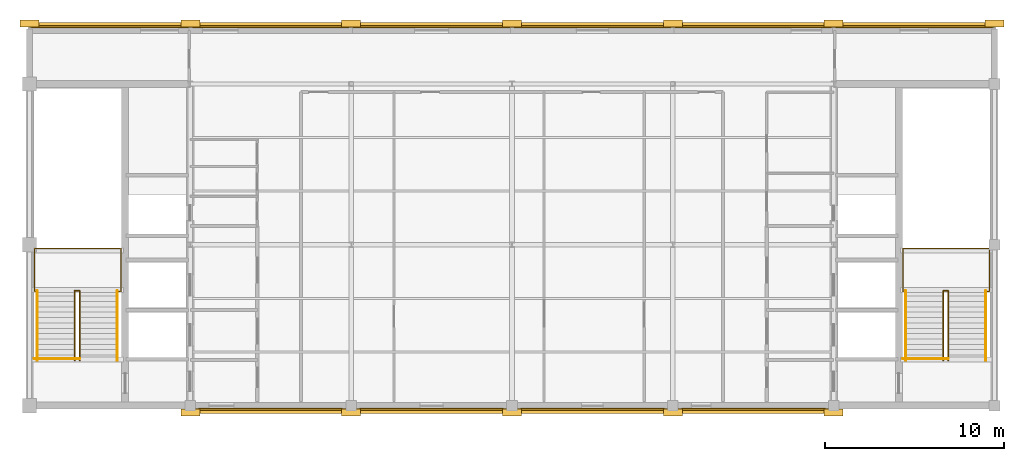
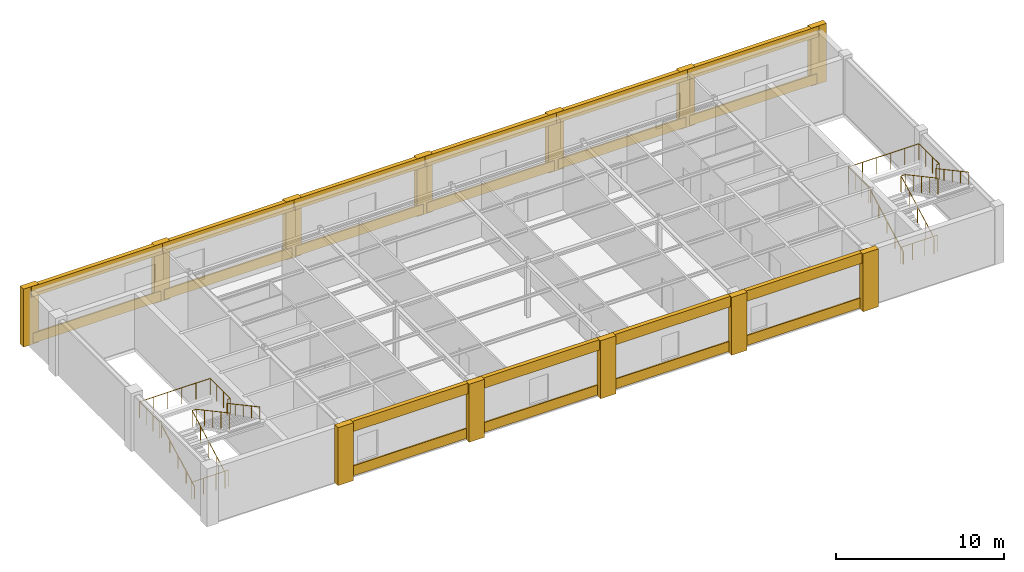
# One storey, part 7 of 7: 32 coverings, 10 railings.
"""IFC4 building model written with IfcOpenShell, lengths in metres."""

from ifc_helpers import new_model, si_unit, direction, frame, origin, origin_2d, place, context, subcontext, project, spatial, rectangle, circle, extrude, material, layer, layer_set, type_object, element, save


model = new_model("IFC4")

# Units and contexts
model_context = context("Model", 3, precision=1e-05, world=origin(), true_north=direction((0.0, 1.0)))
body_context = subcontext(model_context, "Body", "Model", "MODEL_VIEW")
ifc_project = project(units=[si_unit("LENGTHUNIT", "METRE"), si_unit("AREAUNIT", "SQUARE_METRE"), si_unit("VOLUMEUNIT", "CUBIC_METRE"), si_unit("PLANEANGLEUNIT", "RADIAN"), si_unit("MASSUNIT", "GRAM", prefix="KILO")], contexts=[model_context])

# Site, building, storey
site_placement = place(None, origin())
site = spatial("IfcSite", under=ifc_project, at=site_placement, CompositionType="ELEMENT")
building_placement = place(site_placement, origin())
building = spatial("IfcBuilding", under=site, at=building_placement, Name="Lykobir Media Centre", CompositionType="ELEMENT")
storey_placement = place(building_placement, frame((0.0, 0.0, 31.800048828125)))
storey = spatial("IfcBuildingStorey", under=building, at=storey_placement, Name="L07", CompositionType="ELEMENT", Elevation=31.800048828125)

# Coverings
ifc_material_1 = material(Name="Glazed Turquoise Terracotta", Category="masonry")
ifc_layer_1 = layer(ifc_material_1, 0.0400390625, Name="Glazed Turquoise Terracotta")
ifc_layer_set_1 = layer_set([ifc_layer_1], Name="Glazed Turquoise Terracotta")
covering_type_1 = type_object("IfcCoveringType", Name="CLD-TERR", PredefinedType="CLADDING", material=ifc_layer_set_1)
for number, where, z_axis, x_axis, name in (
    (1, (31.5, 21.196044921875, 0.080078125), (0.0, 0.0, 1.0), (-1.0, 0.0, 0.0), "Facade spandrel apron 890"),
    (2, (40.5, 21.196044921875, 0.080078125), (0.0, 0.0, 1.0), (-1.0, 0.0, 0.0), "Facade spandrel apron 893"),
    (3, (49.5, 21.196044921875, 0.080078125), (0.0, 0.0, 1.0), (-1.0, 0.0, 0.0), "Facade spandrel apron 896"),
    (4, (58.5, 21.196044921875, 0.080078125), (0.0, 0.0, 1.0), (-1.0, 0.0, 0.0), "Facade spandrel apron 899"),
    (5, (67.5, 21.196044921875, 0.080078125), (0.0, 0.0, 1.0), (-1.0, 0.0, 0.0), "Facade spandrel apron 902"),
    (6, (76.5, 21.196044921875, 0.080078125), (0.0, 0.0, 1.0), (-1.0, 0.0, 0.0), "Facade spandrel apron 905"),
):
    element("IfcCovering", number, at=place(storey_placement, frame(where, z_axis=z_axis, x_axis=x_axis)), inside=storey, type_object=covering_type_1, Name=name, PredefinedType="CLADDING", context=body_context, shape_type="SweptSolid", body=[
        extrude(rectangle(XDim=8.75, YDim=0.10009765625, at=origin_2d()), origin(), (0.0, 0.0, 1.0), 0.719970703125),
    ])
for number, where, z_axis, x_axis, name in (
    (7, (40.5, -0.196044921875, 0.080078125), (0.0, 0.0, 1.0), (1.0, 0.0, 0.0), "Facade spandrel apron 909"),
    (8, (49.5, -0.196044921875, 0.080078125), (0.0, 0.0, 1.0), (1.0, 0.0, 0.0), "Facade spandrel apron 912"),
    (9, (58.5, -0.196044921875, 0.080078125), (0.0, 0.0, 1.0), (1.0, 0.0, 0.0), "Facade spandrel apron 915"),
    (10, (67.5, -0.196044921875, 0.080078125), (0.0, 0.0, 1.0), (1.0, 0.0, 0.0), "Facade spandrel apron 918"),
):
    element("IfcCovering", number, at=place(storey_placement, frame(where, z_axis=z_axis, x_axis=x_axis)), inside=storey, type_object=covering_type_1, Name=name, PredefinedType="CLADDING", context=body_context, shape_type="SweptSolid", body=[
        extrude(rectangle(XDim=8.030029296875, YDim=0.10009765625, at=origin_2d()), origin(), (0.0, 0.0, 1.0), 0.719970703125),
    ])
ifc_material_2 = material(Name="Honed Travertine Stone", Category="masonry")
ifc_layer_2 = layer(ifc_material_2, 0.050048828125, Name="Honed Travertine Stone")
ifc_layer_set_2 = layer_set([ifc_layer_2], Name="Honed Travertine Stone")
covering_type_2 = type_object("IfcCoveringType", Name="CLD-TRAV", PredefinedType="CLADDING", material=ifc_layer_set_2)
for number, where, z_axis, x_axis, name in (
    (11, (36.0, 21.3798828125, 0.0), (0.0, 0.0, 1.0), (-1.0, 0.0, 0.0), "Travertine column pier 887"),
    (12, (27.0, 21.3798828125, 0.0), (0.0, 0.0, 1.0), (-1.0, 0.0, 0.0), "Travertine column pier 888"),
):
    element("IfcCovering", number, at=place(storey_placement, frame(where, z_axis=z_axis, x_axis=x_axis)), inside=storey, type_object=covering_type_2, Name=name, PredefinedType="CLADDING", context=body_context, shape_type="SweptSolid", body=[
        extrude(rectangle(XDim=1.06005859375, YDim=0.39990234375, at=origin_2d()), origin(), (0.0, 0.0, 1.0), 4.199951171875),
    ])
covering_1_placement = place(storey_placement, frame((31.5, 21.300048828125, 3.43994140625), z_axis=(0.0, 0.0, 1.0), x_axis=(-1.0, 0.0, 0.0)))
element("IfcCovering", 13, at=covering_1_placement, inside=storey, type_object=covering_type_2, Name="Travertine spandrel stringcourse 889", PredefinedType="CLADDING", context=body_context, shape_type="SweptSolid", body=[
    extrude(rectangle(XDim=9.0, YDim=0.280029296875, at=origin_2d()), origin(), (0.0, 0.0, 1.0), 0.760009765625),
])
covering_2_placement = place(storey_placement, frame((45.0, 21.3798828125, 0.0), z_axis=(0.0, 0.0, 1.0), x_axis=(-1.0, 0.0, 0.0)))
element("IfcCovering", 14, at=covering_2_placement, inside=storey, type_object=covering_type_2, Name="Travertine column pier 891", PredefinedType="CLADDING", context=body_context, shape_type="SweptSolid", body=[
    extrude(rectangle(XDim=1.06005859375, YDim=0.39990234375, at=origin_2d()), origin(), (0.0, 0.0, 1.0), 4.199951171875),
])
covering_3_placement = place(storey_placement, frame((40.5, 21.300048828125, 3.43994140625), z_axis=(0.0, 0.0, 1.0), x_axis=(-1.0, 0.0, 0.0)))
element("IfcCovering", 15, at=covering_3_placement, inside=storey, type_object=covering_type_2, Name="Travertine spandrel stringcourse 892", PredefinedType="CLADDING", context=body_context, shape_type="SweptSolid", body=[
    extrude(rectangle(XDim=9.0, YDim=0.280029296875, at=origin_2d()), origin(), (0.0, 0.0, 1.0), 0.760009765625),
])
covering_4_placement = place(storey_placement, frame((54.0, 21.3798828125, 0.0), z_axis=(0.0, 0.0, 1.0), x_axis=(-1.0, 0.0, 0.0)))
element("IfcCovering", 16, at=covering_4_placement, inside=storey, type_object=covering_type_2, Name="Travertine column pier 894", PredefinedType="CLADDING", context=body_context, shape_type="SweptSolid", body=[
    extrude(rectangle(XDim=1.06005859375, YDim=0.39990234375, at=origin_2d()), origin(), (0.0, 0.0, 1.0), 4.199951171875),
])
covering_5_placement = place(storey_placement, frame((49.5, 21.300048828125, 3.43994140625), z_axis=(0.0, 0.0, 1.0), x_axis=(-1.0, 0.0, 0.0)))
element("IfcCovering", 17, at=covering_5_placement, inside=storey, type_object=covering_type_2, Name="Travertine spandrel stringcourse 895", PredefinedType="CLADDING", context=body_context, shape_type="SweptSolid", body=[
    extrude(rectangle(XDim=9.0, YDim=0.280029296875, at=origin_2d()), origin(), (0.0, 0.0, 1.0), 0.760009765625),
])
covering_6_placement = place(storey_placement, frame((63.0, 21.3798828125, 0.0), z_axis=(0.0, 0.0, 1.0), x_axis=(-1.0, 0.0, 0.0)))
element("IfcCovering", 18, at=covering_6_placement, inside=storey, type_object=covering_type_2, Name="Travertine column pier 897", PredefinedType="CLADDING", context=body_context, shape_type="SweptSolid", body=[
    extrude(rectangle(XDim=1.06005859375, YDim=0.39990234375, at=origin_2d()), origin(), (0.0, 0.0, 1.0), 4.199951171875),
])
covering_7_placement = place(storey_placement, frame((58.5, 21.300048828125, 3.43994140625), z_axis=(0.0, 0.0, 1.0), x_axis=(-1.0, 0.0, 0.0)))
element("IfcCovering", 19, at=covering_7_placement, inside=storey, type_object=covering_type_2, Name="Travertine spandrel stringcourse 898", PredefinedType="CLADDING", context=body_context, shape_type="SweptSolid", body=[
    extrude(rectangle(XDim=9.0, YDim=0.280029296875, at=origin_2d()), origin(), (0.0, 0.0, 1.0), 0.760009765625),
])
covering_8_placement = place(storey_placement, frame((72.0, 21.3798828125, 0.0), z_axis=(0.0, 0.0, 1.0), x_axis=(-1.0, 0.0, 0.0)))
element("IfcCovering", 20, at=covering_8_placement, inside=storey, type_object=covering_type_2, Name="Travertine column pier 900", PredefinedType="CLADDING", context=body_context, shape_type="SweptSolid", body=[
    extrude(rectangle(XDim=1.06005859375, YDim=0.39990234375, at=origin_2d()), origin(), (0.0, 0.0, 1.0), 4.199951171875),
])
covering_9_placement = place(storey_placement, frame((67.5, 21.300048828125, 3.43994140625), z_axis=(0.0, 0.0, 1.0), x_axis=(-1.0, 0.0, 0.0)))
element("IfcCovering", 21, at=covering_9_placement, inside=storey, type_object=covering_type_2, Name="Travertine spandrel stringcourse 901", PredefinedType="CLADDING", context=body_context, shape_type="SweptSolid", body=[
    extrude(rectangle(XDim=9.0, YDim=0.280029296875, at=origin_2d()), origin(), (0.0, 0.0, 1.0), 0.760009765625),
])
covering_10_placement = place(storey_placement, frame((81.0, 21.3798828125, 0.0), z_axis=(0.0, 0.0, 1.0), x_axis=(-1.0, 0.0, 0.0)))
element("IfcCovering", 22, at=covering_10_placement, inside=storey, type_object=covering_type_2, Name="Travertine column pier 903", PredefinedType="CLADDING", context=body_context, shape_type="SweptSolid", body=[
    extrude(rectangle(XDim=1.06005859375, YDim=0.39990234375, at=origin_2d()), origin(), (0.0, 0.0, 1.0), 4.199951171875),
])
covering_11_placement = place(storey_placement, frame((76.5, 21.300048828125, 3.43994140625), z_axis=(0.0, 0.0, 1.0), x_axis=(-1.0, 0.0, 0.0)))
element("IfcCovering", 23, at=covering_11_placement, inside=storey, type_object=covering_type_2, Name="Travertine spandrel stringcourse 904", PredefinedType="CLADDING", context=body_context, shape_type="SweptSolid", body=[
    extrude(rectangle(XDim=9.0, YDim=0.280029296875, at=origin_2d()), origin(), (0.0, 0.0, 1.0), 0.760009765625),
])
for number, where, z_axis, x_axis, name in (
    (24, (36.0, -0.3798828125, 0.0), (0.0, 0.0, 1.0), (1.0, 0.0, 0.0), "Travertine column pier 906"),
    (25, (45.0, -0.3798828125, 0.0), (0.0, 0.0, 1.0), (1.0, 0.0, 0.0), "Travertine column pier 907"),
):
    element("IfcCovering", number, at=place(storey_placement, frame(where, z_axis=z_axis, x_axis=x_axis)), inside=storey, type_object=covering_type_2, Name=name, PredefinedType="CLADDING", context=body_context, shape_type="SweptSolid", body=[
        extrude(rectangle(XDim=1.06005859375, YDim=0.39990234375, at=origin_2d()), origin(), (0.0, 0.0, 1.0), 4.199951171875),
    ])
covering_12_placement = place(storey_placement, frame((40.5, -0.300048828125, 3.43994140625), z_axis=(0.0, 0.0, 1.0), x_axis=(1.0, 0.0, 0.0)))
element("IfcCovering", 26, at=covering_12_placement, inside=storey, type_object=covering_type_2, Name="Travertine spandrel stringcourse 908", PredefinedType="CLADDING", context=body_context, shape_type="SweptSolid", body=[
    extrude(rectangle(XDim=9.0, YDim=0.280029296875, at=origin_2d()), origin(), (0.0, 0.0, 1.0), 0.760009765625),
])
covering_13_placement = place(storey_placement, frame((54.0, -0.3798828125, 0.0), z_axis=(0.0, 0.0, 1.0), x_axis=(1.0, 0.0, 0.0)))
element("IfcCovering", 27, at=covering_13_placement, inside=storey, type_object=covering_type_2, Name="Travertine column pier 910", PredefinedType="CLADDING", context=body_context, shape_type="SweptSolid", body=[
    extrude(rectangle(XDim=1.06005859375, YDim=0.39990234375, at=origin_2d()), origin(), (0.0, 0.0, 1.0), 4.199951171875),
])
covering_14_placement = place(storey_placement, frame((49.5, -0.300048828125, 3.43994140625), z_axis=(0.0, 0.0, 1.0), x_axis=(1.0, 0.0, 0.0)))
element("IfcCovering", 28, at=covering_14_placement, inside=storey, type_object=covering_type_2, Name="Travertine spandrel stringcourse 911", PredefinedType="CLADDING", context=body_context, shape_type="SweptSolid", body=[
    extrude(rectangle(XDim=9.0, YDim=0.280029296875, at=origin_2d()), origin(), (0.0, 0.0, 1.0), 0.760009765625),
])
covering_15_placement = place(storey_placement, frame((63.0, -0.3798828125, 0.0), z_axis=(0.0, 0.0, 1.0), x_axis=(1.0, 0.0, 0.0)))
element("IfcCovering", 29, at=covering_15_placement, inside=storey, type_object=covering_type_2, Name="Travertine column pier 913", PredefinedType="CLADDING", context=body_context, shape_type="SweptSolid", body=[
    extrude(rectangle(XDim=1.06005859375, YDim=0.39990234375, at=origin_2d()), origin(), (0.0, 0.0, 1.0), 4.199951171875),
])
covering_16_placement = place(storey_placement, frame((58.5, -0.300048828125, 3.43994140625), z_axis=(0.0, 0.0, 1.0), x_axis=(1.0, 0.0, 0.0)))
element("IfcCovering", 30, at=covering_16_placement, inside=storey, type_object=covering_type_2, Name="Travertine spandrel stringcourse 914", PredefinedType="CLADDING", context=body_context, shape_type="SweptSolid", body=[
    extrude(rectangle(XDim=9.0, YDim=0.280029296875, at=origin_2d()), origin(), (0.0, 0.0, 1.0), 0.760009765625),
])
covering_17_placement = place(storey_placement, frame((72.0, -0.3798828125, 0.0), z_axis=(0.0, 0.0, 1.0), x_axis=(1.0, 0.0, 0.0)))
element("IfcCovering", 31, at=covering_17_placement, inside=storey, type_object=covering_type_2, Name="Travertine column pier 916", PredefinedType="CLADDING", context=body_context, shape_type="SweptSolid", body=[
    extrude(rectangle(XDim=1.06005859375, YDim=0.39990234375, at=origin_2d()), origin(), (0.0, 0.0, 1.0), 4.199951171875),
])
covering_18_placement = place(storey_placement, frame((67.5, -0.300048828125, 3.43994140625), z_axis=(0.0, 0.0, 1.0), x_axis=(1.0, 0.0, 0.0)))
element("IfcCovering", 32, at=covering_18_placement, inside=storey, type_object=covering_type_2, Name="Travertine spandrel stringcourse 917", PredefinedType="CLADDING", context=body_context, shape_type="SweptSolid", body=[
    extrude(rectangle(XDim=9.0, YDim=0.280029296875, at=origin_2d()), origin(), (0.0, 0.0, 1.0), 0.760009765625),
])

# Railings
ifc_material_3 = material(Name="Steel S355", Category="steel")
railing_type_1 = type_object("IfcRailingType", Name="GR-1200", PredefinedType="BALUSTRADE", material=ifc_material_3)
railing_1_placement = place(storey_placement, frame((27.27001953125, 2.6298828125, 0.0)))
element("IfcRailing", 33, at=railing_1_placement, inside=storey, type_object=railing_type_1, Name="ST-1 L07 arrival well guard", PredefinedType="BALUSTRADE", context=body_context, shape_type="SweptSolid", body=[
    extrude(circle(Radius=0.02392578125, at=origin_2d()), frame((0.0, 0.0, 1.17578125), z_axis=(1.0, 0.0, 0.0), x_axis=(0.0, 1.0, 0.0)), (0.0, 0.0, 1.0), 2.5400390625),
    extrude(circle(Radius=0.02099609375, at=origin_2d()), origin(), (0.0, 0.0, 1.0), 1.15185546875),
    extrude(circle(Radius=0.02099609375, at=origin_2d()), frame((0.8466796875, 0.0, 0.0)), (0.0, 0.0, 1.0), 1.15185546875),
    extrude(circle(Radius=0.02099609375, at=origin_2d()), frame((1.693359375, 0.0, 0.0)), (0.0, 0.0, 1.0), 1.15185546875),
    extrude(circle(Radius=0.02099609375, at=origin_2d()), frame((2.5400390625, 0.0, 0.0)), (0.0, 0.0, 1.0), 1.15185546875),
])
railing_2_placement = place(storey_placement, frame((29.530029296875, 2.530029296875, 0.0)))
element("IfcRailing", 34, at=railing_2_placement, inside=storey, type_object=railing_type_1, Name="ST-1 L07 inner well and slot guard", PredefinedType="BALUSTRADE", context=body_context, shape_type="SweptSolid", body=[
    extrude(circle(Radius=0.02392578125, at=origin_2d()), frame((0.0, 0.0, 1.17578125), z_axis=(0.0, 0.88047994924, 0.474083388219), x_axis=(-1.0, 0.0, 0.0)), (0.0, 0.0, 1.0), 4.42919921875),
    extrude(circle(Radius=0.02392578125, at=origin_2d()), frame((0.0, 3.89990234375, 3.27587890625), z_axis=(1.0, 0.0, 0.0), x_axis=(0.0, 1.0, 0.0)), (0.0, 0.0, 1.0), 0.280029296875),
    extrude(circle(Radius=0.02392578125, at=origin_2d()), frame((0.280029296875, 3.89990234375, 3.27587890625), z_axis=(0.0, -0.880456940745, 0.474126117709), x_axis=(1.0, 0.0, 0.0)), (0.0, 0.0, 1.0), 4.429443359375),
    extrude(circle(Radius=0.02099609375, at=origin_2d()), origin(), (0.0, 0.0, 1.0), 1.15185546875),
    extrude(circle(Radius=0.02099609375, at=origin_2d()), frame((0.0, 0.97509765625, 0.52490234375)), (0.0, 0.0, 1.0), 1.15185546875),
    extrude(circle(Radius=0.02099609375, at=origin_2d()), frame((0.0, 1.949951171875, 1.0498046875)), (0.0, 0.0, 1.0), 1.15185546875),
    extrude(circle(Radius=0.02099609375, at=origin_2d()), frame((0.0, 2.9248046875, 1.574951171875)), (0.0, 0.0, 1.0), 1.15185546875),
    extrude(circle(Radius=0.02099609375, at=origin_2d()), frame((0.0, 3.89990234375, 2.099853515625)), (0.0, 0.0, 1.0), 1.15185546875),
    extrude(circle(Radius=0.02099609375, at=origin_2d()), frame((0.280029296875, 3.89990234375, 2.099853515625)), (0.0, 0.0, 1.0), 1.15185546875),
    extrude(circle(Radius=0.02099609375, at=origin_2d()), frame((0.280029296875, 2.9248046875, 2.625)), (0.0, 0.0, 1.0), 1.15185546875),
    extrude(circle(Radius=0.02099609375, at=origin_2d()), frame((0.280029296875, 1.949951171875, 3.14990234375)), (0.0, 0.0, 1.0), 1.15185546875),
    extrude(circle(Radius=0.02099609375, at=origin_2d()), frame((0.280029296875, 0.97509765625, 3.6748046875)), (0.0, 0.0, 1.0), 1.15185546875),
    extrude(circle(Radius=0.02099609375, at=origin_2d()), frame((0.280029296875, 0.0, 4.199951171875)), (0.0, 0.0, 1.0), 1.15185546875),
])
railing_3_placement = place(storey_placement, frame((27.389892578125, 6.389892578125, 2.099853515625)))
element("IfcRailing", 35, at=railing_3_placement, inside=storey, type_object=railing_type_1, Name="ST-1 L07 half-landing perimeter guard", PredefinedType="BALUSTRADE", context=body_context, shape_type="SweptSolid", body=[
    extrude(circle(Radius=0.02392578125, at=origin_2d()), frame((0.0, 0.0, 1.17578125), z_axis=(-1.0, 0.0, 0.0), x_axis=(0.0, -1.0, 0.0)), (0.0, 0.0, 1.0), 0.10986328125),
    extrude(circle(Radius=0.02392578125, at=origin_2d()), frame((-0.10986328125, 0.0, 1.17578125), z_axis=(0.0, 1.0, 0.0), x_axis=(-1.0, 0.0, 0.0)), (0.0, 0.0, 1.0), 2.400146484375),
    extrude(circle(Radius=0.02392578125, at=origin_2d()), frame((-0.10986328125, 2.400146484375, 1.17578125), z_axis=(1.0, 0.0, 0.0), x_axis=(0.0, 1.0, 0.0)), (0.0, 0.0, 1.0), 4.840087890625),
    extrude(circle(Radius=0.02392578125, at=origin_2d()), frame((4.730224609375, 2.400146484375, 1.17578125), z_axis=(0.0, -1.0, 0.0), x_axis=(1.0, 0.0, 0.0)), (0.0, 0.0, 1.0), 2.400146484375),
    extrude(circle(Radius=0.02392578125, at=origin_2d()), frame((4.730224609375, 0.0, 1.17578125), z_axis=(-1.0, 0.0, 0.0), x_axis=(0.0, -1.0, 0.0)), (0.0, 0.0, 1.0), 0.170166015625),
    extrude(circle(Radius=0.02099609375, at=origin_2d()), origin(), (0.0, 0.0, 1.0), 1.15185546875),
    extrude(circle(Radius=0.02099609375, at=origin_2d()), frame((-0.10986328125, 0.0, 0.0)), (0.0, 0.0, 1.0), 1.15185546875),
    extrude(circle(Radius=0.02099609375, at=origin_2d()), frame((-0.10986328125, 0.800048828125, 0.0)), (0.0, 0.0, 1.0), 1.15185546875),
    extrude(circle(Radius=0.02099609375, at=origin_2d()), frame((-0.10986328125, 1.60009765625, 0.0)), (0.0, 0.0, 1.0), 1.15185546875),
    extrude(circle(Radius=0.02099609375, at=origin_2d()), frame((-0.10986328125, 2.400146484375, 0.0)), (0.0, 0.0, 1.0), 1.15185546875),
    extrude(circle(Radius=0.02099609375, at=origin_2d()), frame((0.858154296875, 2.400146484375, 0.0)), (0.0, 0.0, 1.0), 1.15185546875),
    extrude(circle(Radius=0.02099609375, at=origin_2d()), frame((1.826171875, 2.400146484375, 0.0)), (0.0, 0.0, 1.0), 1.15185546875),
    extrude(circle(Radius=0.02099609375, at=origin_2d()), frame((2.794189453125, 2.400146484375, 0.0)), (0.0, 0.0, 1.0), 1.15185546875),
    extrude(circle(Radius=0.02099609375, at=origin_2d()), frame((3.76220703125, 2.400146484375, 0.0)), (0.0, 0.0, 1.0), 1.15185546875),
    extrude(circle(Radius=0.02099609375, at=origin_2d()), frame((4.730224609375, 2.400146484375, 0.0)), (0.0, 0.0, 1.0), 1.15185546875),
    extrude(circle(Radius=0.02099609375, at=origin_2d()), frame((4.730224609375, 1.60009765625, 0.0)), (0.0, 0.0, 1.0), 1.15185546875),
    extrude(circle(Radius=0.02099609375, at=origin_2d()), frame((4.730224609375, 0.800048828125, 0.0)), (0.0, 0.0, 1.0), 1.15185546875),
    extrude(circle(Radius=0.02099609375, at=origin_2d()), frame((4.730224609375, 0.0, 0.0)), (0.0, 0.0, 1.0), 1.15185546875),
    extrude(circle(Radius=0.02099609375, at=origin_2d()), frame((4.56005859375, 0.0, 0.0)), (0.0, 0.0, 1.0), 1.15185546875),
])
railing_4_placement = place(storey_placement, frame((75.8701171875, 2.6298828125, 0.0)))
element("IfcRailing", 36, at=railing_4_placement, inside=storey, type_object=railing_type_1, Name="ST-2 L07 arrival well guard", PredefinedType="BALUSTRADE", context=body_context, shape_type="SweptSolid", body=[
    extrude(circle(Radius=0.02392578125, at=origin_2d()), frame((0.0, 0.0, 1.17578125), z_axis=(1.0, 0.0, 0.0), x_axis=(0.0, 1.0, 0.0)), (0.0, 0.0, 1.0), 2.539794921875),
    extrude(circle(Radius=0.02099609375, at=origin_2d()), origin(), (0.0, 0.0, 1.0), 1.15185546875),
    extrude(circle(Radius=0.02099609375, at=origin_2d()), frame((0.8466796875, 0.0, 0.0)), (0.0, 0.0, 1.0), 1.15185546875),
    extrude(circle(Radius=0.02099609375, at=origin_2d()), frame((1.693115234375, 0.0, 0.0)), (0.0, 0.0, 1.0), 1.15185546875),
    extrude(circle(Radius=0.02099609375, at=origin_2d()), frame((2.539794921875, 0.0, 0.0)), (0.0, 0.0, 1.0), 1.15185546875),
])
railing_5_placement = place(storey_placement, frame((78.1298828125, 2.530029296875, 0.0)))
element("IfcRailing", 37, at=railing_5_placement, inside=storey, type_object=railing_type_1, Name="ST-2 L07 inner well and slot guard", PredefinedType="BALUSTRADE", context=body_context, shape_type="SweptSolid", body=[
    extrude(circle(Radius=0.02392578125, at=origin_2d()), frame((0.0, 0.0, 1.17578125), z_axis=(0.0, 0.88047994924, 0.474083388219), x_axis=(-1.0, 0.0, 0.0)), (0.0, 0.0, 1.0), 4.42919921875),
    extrude(circle(Radius=0.02392578125, at=origin_2d()), frame((0.0, 3.89990234375, 3.27587890625), z_axis=(1.0, 0.0, 0.0), x_axis=(0.0, 1.0, 0.0)), (0.0, 0.0, 1.0), 0.280029296875),
    extrude(circle(Radius=0.02392578125, at=origin_2d()), frame((0.280029296875, 3.89990234375, 3.27587890625), z_axis=(0.0, -0.880456940745, 0.474126117709), x_axis=(1.0, 0.0, 0.0)), (0.0, 0.0, 1.0), 4.429443359375),
    extrude(circle(Radius=0.02099609375, at=origin_2d()), origin(), (0.0, 0.0, 1.0), 1.15185546875),
    extrude(circle(Radius=0.02099609375, at=origin_2d()), frame((0.0, 0.97509765625, 0.52490234375)), (0.0, 0.0, 1.0), 1.15185546875),
    extrude(circle(Radius=0.02099609375, at=origin_2d()), frame((0.0, 1.949951171875, 1.0498046875)), (0.0, 0.0, 1.0), 1.15185546875),
    extrude(circle(Radius=0.02099609375, at=origin_2d()), frame((0.0, 2.9248046875, 1.574951171875)), (0.0, 0.0, 1.0), 1.15185546875),
    extrude(circle(Radius=0.02099609375, at=origin_2d()), frame((0.0, 3.89990234375, 2.099853515625)), (0.0, 0.0, 1.0), 1.15185546875),
    extrude(circle(Radius=0.02099609375, at=origin_2d()), frame((0.280029296875, 3.89990234375, 2.099853515625)), (0.0, 0.0, 1.0), 1.15185546875),
    extrude(circle(Radius=0.02099609375, at=origin_2d()), frame((0.280029296875, 2.9248046875, 2.625)), (0.0, 0.0, 1.0), 1.15185546875),
    extrude(circle(Radius=0.02099609375, at=origin_2d()), frame((0.280029296875, 1.949951171875, 3.14990234375)), (0.0, 0.0, 1.0), 1.15185546875),
    extrude(circle(Radius=0.02099609375, at=origin_2d()), frame((0.280029296875, 0.97509765625, 3.6748046875)), (0.0, 0.0, 1.0), 1.15185546875),
    extrude(circle(Radius=0.02099609375, at=origin_2d()), frame((0.280029296875, 0.0, 4.199951171875)), (0.0, 0.0, 1.0), 1.15185546875),
])
railing_6_placement = place(storey_placement, frame((75.989990234375, 6.389892578125, 2.099853515625)))
element("IfcRailing", 38, at=railing_6_placement, inside=storey, type_object=railing_type_1, Name="ST-2 L07 half-landing perimeter guard", PredefinedType="BALUSTRADE", context=body_context, shape_type="SweptSolid", body=[
    extrude(circle(Radius=0.02392578125, at=origin_2d()), frame((0.0, 0.0, 1.17578125), z_axis=(-1.0, 0.0, 0.0), x_axis=(0.0, -1.0, 0.0)), (0.0, 0.0, 1.0), 0.110107421875),
    extrude(circle(Radius=0.02392578125, at=origin_2d()), frame((-0.110107421875, 0.0, 1.17578125), z_axis=(0.0, 1.0, 0.0), x_axis=(-1.0, 0.0, 0.0)), (0.0, 0.0, 1.0), 2.400146484375),
    extrude(circle(Radius=0.02392578125, at=origin_2d()), frame((-0.110107421875, 2.400146484375, 1.17578125), z_axis=(1.0, 0.0, 0.0), x_axis=(0.0, 1.0, 0.0)), (0.0, 0.0, 1.0), 4.840087890625),
    extrude(circle(Radius=0.02392578125, at=origin_2d()), frame((4.72998046875, 2.400146484375, 1.17578125), z_axis=(0.0, -1.0, 0.0), x_axis=(1.0, 0.0, 0.0)), (0.0, 0.0, 1.0), 2.400146484375),
    extrude(circle(Radius=0.02392578125, at=origin_2d()), frame((4.72998046875, 0.0, 1.17578125), z_axis=(-1.0, 0.0, 0.0), x_axis=(0.0, -1.0, 0.0)), (0.0, 0.0, 1.0), 0.169921875),
    extrude(circle(Radius=0.02099609375, at=origin_2d()), origin(), (0.0, 0.0, 1.0), 1.15185546875),
    extrude(circle(Radius=0.02099609375, at=origin_2d()), frame((-0.110107421875, 0.0, 0.0)), (0.0, 0.0, 1.0), 1.15185546875),
    extrude(circle(Radius=0.02099609375, at=origin_2d()), frame((-0.110107421875, 0.800048828125, 0.0)), (0.0, 0.0, 1.0), 1.15185546875),
    extrude(circle(Radius=0.02099609375, at=origin_2d()), frame((-0.110107421875, 1.60009765625, 0.0)), (0.0, 0.0, 1.0), 1.15185546875),
    extrude(circle(Radius=0.02099609375, at=origin_2d()), frame((-0.110107421875, 2.400146484375, 0.0)), (0.0, 0.0, 1.0), 1.15185546875),
    extrude(circle(Radius=0.02099609375, at=origin_2d()), frame((0.85791015625, 2.400146484375, 0.0)), (0.0, 0.0, 1.0), 1.15185546875),
    extrude(circle(Radius=0.02099609375, at=origin_2d()), frame((1.825927734375, 2.400146484375, 0.0)), (0.0, 0.0, 1.0), 1.15185546875),
    extrude(circle(Radius=0.02099609375, at=origin_2d()), frame((2.7939453125, 2.400146484375, 0.0)), (0.0, 0.0, 1.0), 1.15185546875),
    extrude(circle(Radius=0.02099609375, at=origin_2d()), frame((3.761962890625, 2.400146484375, 0.0)), (0.0, 0.0, 1.0), 1.15185546875),
    extrude(circle(Radius=0.02099609375, at=origin_2d()), frame((4.72998046875, 2.400146484375, 0.0)), (0.0, 0.0, 1.0), 1.15185546875),
    extrude(circle(Radius=0.02099609375, at=origin_2d()), frame((4.72998046875, 1.60009765625, 0.0)), (0.0, 0.0, 1.0), 1.15185546875),
    extrude(circle(Radius=0.02099609375, at=origin_2d()), frame((4.72998046875, 0.800048828125, 0.0)), (0.0, 0.0, 1.0), 1.15185546875),
    extrude(circle(Radius=0.02099609375, at=origin_2d()), frame((4.72998046875, 0.0, 0.0)), (0.0, 0.0, 1.0), 1.15185546875),
    extrude(circle(Radius=0.02099609375, at=origin_2d()), frame((4.56005859375, 0.0, 0.0)), (0.0, 0.0, 1.0), 1.15185546875),
])
railing_type_2 = type_object("IfcRailingType", Name="HR-0900", PredefinedType="HANDRAIL", material=ifc_material_3)
railing_7_placement = place(storey_placement, frame((27.429931640625, 2.530029296875, 0.0)))
element("IfcRailing", 39, at=railing_7_placement, inside=storey, type_object=railing_type_2, Name="ST-1 L07 F1 wall handrail", PredefinedType="HANDRAIL", context=body_context, shape_type="SweptSolid", body=[
    extrude(circle(Radius=0.02392578125, at=origin_2d()), frame((0.0, 0.0, 0.8759765625), z_axis=(0.0, 0.88047994924, 0.474083388219), x_axis=(-1.0, 0.0, 0.0)), (0.0, 0.0, 1.0), 4.42919921875),
    extrude(circle(Radius=0.02099609375, at=origin_2d()), origin(), (0.0, 0.0, 1.0), 0.851806640625),
    extrude(circle(Radius=0.02099609375, at=origin_2d()), frame((0.0, 0.97509765625, 0.52490234375)), (0.0, 0.0, 1.0), 0.851806640625),
    extrude(circle(Radius=0.02099609375, at=origin_2d()), frame((0.0, 1.949951171875, 1.0498046875)), (0.0, 0.0, 1.0), 0.851806640625),
    extrude(circle(Radius=0.02099609375, at=origin_2d()), frame((0.0, 2.9248046875, 1.574951171875)), (0.0, 0.0, 1.0), 0.851806640625),
    extrude(circle(Radius=0.02099609375, at=origin_2d()), frame((0.0, 3.89990234375, 2.099853515625)), (0.0, 0.0, 1.0), 0.851806640625),
])
railing_8_placement = place(storey_placement, frame((31.909912109375, 6.429931640625, 2.099853515625)))
element("IfcRailing", 40, at=railing_8_placement, inside=storey, type_object=railing_type_2, Name="ST-1 L07 F2 wall handrail", PredefinedType="HANDRAIL", context=body_context, shape_type="SweptSolid", body=[
    extrude(circle(Radius=0.02392578125, at=origin_2d()), frame((0.0, 0.0, 0.8759765625), z_axis=(0.0, -0.880456940745, 0.474126117709), x_axis=(1.0, 0.0, 0.0)), (0.0, 0.0, 1.0), 4.429443359375),
    extrude(circle(Radius=0.02099609375, at=origin_2d()), origin(), (0.0, 0.0, 1.0), 0.851806640625),
    extrude(circle(Radius=0.02099609375, at=origin_2d()), frame((0.0, -0.97509765625, 0.52490234375)), (0.0, 0.0, 1.0), 0.851806640625),
    extrude(circle(Radius=0.02099609375, at=origin_2d()), frame((0.0, -1.949951171875, 1.050048828125)), (0.0, 0.0, 1.0), 0.851806640625),
    extrude(circle(Radius=0.02099609375, at=origin_2d()), frame((0.0, -2.9248046875, 1.5751953125)), (0.0, 0.0, 1.0), 0.851806640625),
    extrude(circle(Radius=0.02099609375, at=origin_2d()), frame((0.0, -3.89990234375, 2.10009765625)), (0.0, 0.0, 1.0), 0.851806640625),
])
railing_9_placement = place(storey_placement, frame((76.030029296875, 2.530029296875, 0.0)))
element("IfcRailing", 41, at=railing_9_placement, inside=storey, type_object=railing_type_2, Name="ST-2 L07 F1 wall handrail", PredefinedType="HANDRAIL", context=body_context, shape_type="SweptSolid", body=[
    extrude(circle(Radius=0.02392578125, at=origin_2d()), frame((0.0, 0.0, 0.8759765625), z_axis=(0.0, 0.88047994924, 0.474083388219), x_axis=(-1.0, 0.0, 0.0)), (0.0, 0.0, 1.0), 4.42919921875),
    extrude(circle(Radius=0.02099609375, at=origin_2d()), origin(), (0.0, 0.0, 1.0), 0.851806640625),
    extrude(circle(Radius=0.02099609375, at=origin_2d()), frame((0.0, 0.97509765625, 0.52490234375)), (0.0, 0.0, 1.0), 0.851806640625),
    extrude(circle(Radius=0.02099609375, at=origin_2d()), frame((0.0, 1.949951171875, 1.0498046875)), (0.0, 0.0, 1.0), 0.851806640625),
    extrude(circle(Radius=0.02099609375, at=origin_2d()), frame((0.0, 2.9248046875, 1.574951171875)), (0.0, 0.0, 1.0), 0.851806640625),
    extrude(circle(Radius=0.02099609375, at=origin_2d()), frame((0.0, 3.89990234375, 2.099853515625)), (0.0, 0.0, 1.0), 0.851806640625),
])
railing_10_placement = place(storey_placement, frame((80.510009765625, 6.429931640625, 2.099853515625)))
element("IfcRailing", 42, at=railing_10_placement, inside=storey, type_object=railing_type_2, Name="ST-2 L07 F2 wall handrail", PredefinedType="HANDRAIL", context=body_context, shape_type="SweptSolid", body=[
    extrude(circle(Radius=0.02392578125, at=origin_2d()), frame((0.0, 0.0, 0.8759765625), z_axis=(0.0, -0.880456940745, 0.474126117709), x_axis=(1.0, 0.0, 0.0)), (0.0, 0.0, 1.0), 4.429443359375),
    extrude(circle(Radius=0.02099609375, at=origin_2d()), origin(), (0.0, 0.0, 1.0), 0.851806640625),
    extrude(circle(Radius=0.02099609375, at=origin_2d()), frame((0.0, -0.97509765625, 0.52490234375)), (0.0, 0.0, 1.0), 0.851806640625),
    extrude(circle(Radius=0.02099609375, at=origin_2d()), frame((0.0, -1.949951171875, 1.050048828125)), (0.0, 0.0, 1.0), 0.851806640625),
    extrude(circle(Radius=0.02099609375, at=origin_2d()), frame((0.0, -2.9248046875, 1.5751953125)), (0.0, 0.0, 1.0), 0.851806640625),
    extrude(circle(Radius=0.02099609375, at=origin_2d()), frame((0.0, -3.89990234375, 2.10009765625)), (0.0, 0.0, 1.0), 0.851806640625),
])

save(model, "model.ifc")
